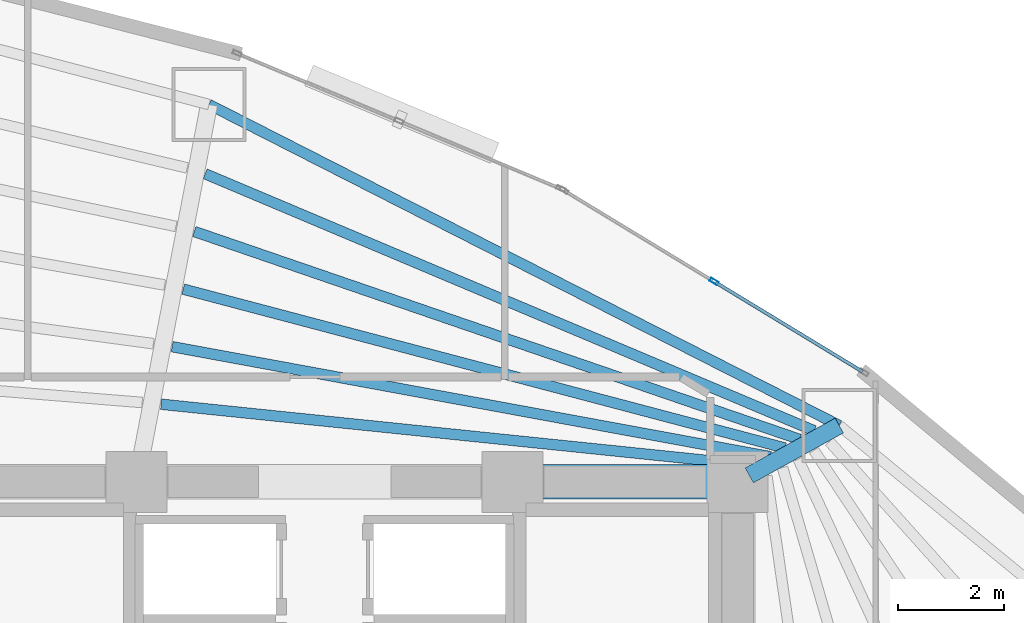
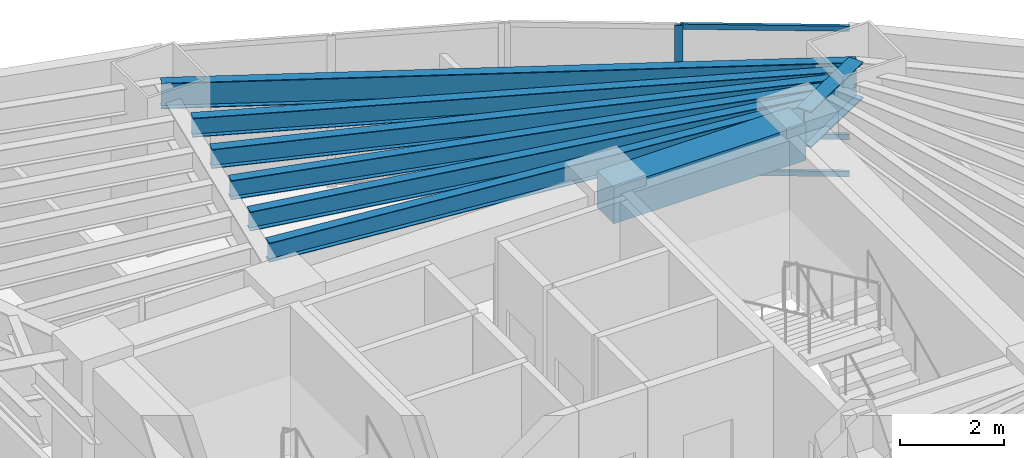
# One storey, part 10 of 17: 8 beams, 4 members, 1 element without a shape of its own.
"""IFC4 building model written with IfcOpenShell, lengths in metres."""

from ifc_helpers import new_model, si_unit, direction, frame, origin, origin_2d, place, context, subcontext, project, spatial, rectangle, hollow_rectangle, i_section, extrude, material, layer, layer_set, material_profile, profile_set, type_object, element, aggregate, save


model = new_model("IFC4")

# Units and contexts
model_context = context("Model", 3, precision=1e-05, world=origin(), true_north=direction((0.0, 1.0)))
body_context = subcontext(model_context, "Body", "Model", "MODEL_VIEW")
ifc_project = project(units=[si_unit("LENGTHUNIT", "METRE"), si_unit("AREAUNIT", "SQUARE_METRE"), si_unit("VOLUMEUNIT", "CUBIC_METRE"), si_unit("PLANEANGLEUNIT", "RADIAN"), si_unit("MASSUNIT", "GRAM", prefix="KILO")], contexts=[model_context])

# Site, building, storey
site_placement = place(None, origin())
site = spatial("IfcSite", under=ifc_project, at=site_placement, CompositionType="ELEMENT")
building_placement = place(site_placement, origin())
building = spatial("IfcBuilding", under=site, at=building_placement, Name="Menara Vayukalpa", CompositionType="ELEMENT")
storey_placement = place(building_placement, frame((0.0, 0.0, 49.919921875)))
storey = spatial("IfcBuildingStorey", under=building, at=storey_placement, Name="L11", CompositionType="ELEMENT", Elevation=49.919921875)

# Beams
ifc_material_1 = material(Name="Concrete C60/75", Category="concrete")
ifc_material_profile_1 = material_profile(ifc_material_1, rectangle(XDim=0.64990234375, YDim=0.85009765625, at=origin_2d()), Name="RC 650x850")
ifc_profile_set_1 = profile_set([ifc_material_profile_1], Name="Concrete C60/75")
beam_type_1 = type_object("IfcBeamType", Name="BM-CB1", PredefinedType="BEAM", material=ifc_profile_set_1)
beam_1_placement = place(storey_placement, frame((29.14990234375, 26.800048828125, 3.045166015625), z_axis=(1.0, 0.0, 0.0), x_axis=(0.0, 1.0, 0.0)))
element("IfcBeam", 1, at=beam_1_placement, inside=storey, type_object=beam_type_1, Name="L11 Core Tie Beam CBR6", PredefinedType="BEAM", context=body_context, shape_type="SweptSolid", body=[
    extrude(rectangle(XDim=0.64990234375, YDim=0.85009765625, at=origin_2d()), origin(), (0.0, 0.0, 1.0), 4.25),
])
ifc_material_2 = material(Name="Steel S355", Category="steel")
ifc_material_profile_2 = material_profile(ifc_material_2, i_section(OverallWidth=0.320068359375, OverallDepth=0.85009765625, WebThickness=0.01611328125, FlangeThickness=0.030029296875, at=origin_2d()), Name="WF 850x320x16x30")
ifc_profile_set_2 = profile_set([ifc_material_profile_2], Name="Steel S355")
beam_type_2 = type_object("IfcBeamType", Name="BM-PG2", PredefinedType="BEAM", material=ifc_profile_set_2)
beam_2_placement = place(storey_placement, frame((33.61865234375, 26.921142578125, 3.045166015625), z_axis=(0.87459548214, 0.484853320727, 0.0), x_axis=(-0.484853320727, 0.87459548214, 0.0)))
element("IfcBeam", 2, at=beam_2_placement, inside=storey, type_object=beam_type_2, Name="L11 Primary Radial Girder RG02", PredefinedType="BEAM", context=body_context, shape_type="SweptSolid", body=[
    extrude(i_section(OverallWidth=0.320068359375, OverallDepth=0.85009765625, WebThickness=0.01611328125, FlangeThickness=0.030029296875, at=origin_2d()), origin(), (0.0, 0.0, 1.0), 1.943115234375),
])
ifc_material_3 = material(Name="Steel S355", Category="steel")
ifc_material_profile_3 = material_profile(ifc_material_3, i_section(OverallWidth=0.199951171875, OverallDepth=0.449951171875, WebThickness=0.009033203125, FlangeThickness=0.013916015625, at=origin_2d()), Name="WF 450x200x9x14")
ifc_profile_set_3 = profile_set([ifc_material_profile_3], Name="Steel S355")
beam_type_3 = type_object("IfcBeamType", Name="BM-SJ1", PredefinedType="JOIST", material=ifc_profile_set_3)
beam_3_placement = place(storey_placement, frame((33.74560546875, 27.109130859375, 3.2451171875), z_axis=(-0.994746828953, 0.102365747631, 0.0), x_axis=(-0.102365747631, -0.994746828953, 0.0)))
element("IfcBeam", 3, at=beam_3_placement, inside=storey, type_object=beam_type_3, Name="L11 Secondary Floor Joist SJ02-1", PredefinedType="JOIST", context=body_context, shape_type="SweptSolid", body=[
    extrude(i_section(OverallWidth=0.199951171875, OverallDepth=0.449951171875, WebThickness=0.009033203125, FlangeThickness=0.013916015625, at=origin_2d()), origin(), (0.0, 0.0, 1.0), 11.29052734375),
])
beam_4_placement = place(storey_placement, frame((34.019287109375, 27.27392578125, 3.2451171875), z_axis=(-0.983504975359, 0.180881075419, 0.0), x_axis=(-0.180881075419, -0.983504975359, 0.0)))
element("IfcBeam", 4, at=beam_4_placement, inside=storey, type_object=beam_type_3, Name="L11 Secondary Floor Joist SJ02-2", PredefinedType="JOIST", context=body_context, shape_type="SweptSolid", body=[
    extrude(i_section(OverallWidth=0.199951171875, OverallDepth=0.449951171875, WebThickness=0.009033203125, FlangeThickness=0.013916015625, at=origin_2d()), origin(), (0.0, 0.0, 1.0), 11.48486328125),
])
beam_5_placement = place(storey_placement, frame((34.294189453125, 27.438232421875, 3.2451171875), z_axis=(-0.966863757537, 0.255292918746, 0.0), x_axis=(-0.255292918746, -0.966863757537, 0.0)))
element("IfcBeam", 5, at=beam_5_placement, inside=storey, type_object=beam_type_3, Name="L11 Secondary Floor Joist SJ02-3", PredefinedType="JOIST", context=body_context, shape_type="SweptSolid", body=[
    extrude(i_section(OverallWidth=0.199951171875, OverallDepth=0.449951171875, WebThickness=0.009033203125, FlangeThickness=0.013916015625, at=origin_2d()), origin(), (0.0, 0.0, 1.0), 11.751220703125),
])
beam_6_placement = place(storey_placement, frame((34.570068359375, 27.601318359375, 3.2451171875), z_axis=(-0.945794261669, 0.324766400038, 0.0), x_axis=(-0.324766400038, -0.945794261669, 0.0)))
element("IfcBeam", 6, at=beam_6_placement, inside=storey, type_object=beam_type_3, Name="L11 Secondary Floor Joist SJ02-4", PredefinedType="JOIST", context=body_context, shape_type="SweptSolid", body=[
    extrude(i_section(OverallWidth=0.199951171875, OverallDepth=0.449951171875, WebThickness=0.009033203125, FlangeThickness=0.013916015625, at=origin_2d()), origin(), (0.0, 0.0, 1.0), 12.0849609375),
])
beam_7_placement = place(storey_placement, frame((34.84619140625, 27.763671875, 3.2451171875), z_axis=(-0.921359344435, 0.38871192215, 0.0), x_axis=(-0.38871192215, -0.921359344435, 0.0)))
element("IfcBeam", 7, at=beam_7_placement, inside=storey, type_object=beam_type_3, Name="L11 Secondary Floor Joist SJ02-5", PredefinedType="JOIST", context=body_context, shape_type="SweptSolid", body=[
    extrude(i_section(OverallWidth=0.199951171875, OverallDepth=0.449951171875, WebThickness=0.009033203125, FlangeThickness=0.013916015625, at=origin_2d()), origin(), (0.0, 0.0, 1.0), 12.48046875),
])
ifc_material_4 = material(Name="Steel S355", Category="steel")
ifc_material_profile_4 = material_profile(ifc_material_4, i_section(OverallWidth=0.199951171875, OverallDepth=0.60009765625, WebThickness=0.010986328125, FlangeThickness=0.01708984375, at=origin_2d()), Name="WF 600x200x11x17")
ifc_profile_set_4 = profile_set([ifc_material_profile_4], Name="Steel S355")
beam_type_4 = type_object("IfcBeamType", Name="BM-SP1", PredefinedType="SPANDREL", material=ifc_profile_set_4)
beam_8_placement = place(storey_placement, frame((35.318115234375, 27.86328125, 3.170166015625), z_axis=(-0.891100743313, 0.453805536841, 0.0), x_axis=(-0.453805536841, -0.891100743313, 0.0)))
element("IfcBeam", 8, at=beam_8_placement, inside=storey, type_object=beam_type_4, Name="L11 Perimeter Spandrel Beam SP02", PredefinedType="SPANDREL", context=body_context, shape_type="SweptSolid", body=[
    extrude(i_section(OverallWidth=0.199951171875, OverallDepth=0.60009765625, WebThickness=0.010986328125, FlangeThickness=0.01708984375, at=origin_2d()), origin(), (0.0, 0.0, 1.0), 13.352783203125),
])

# Curtain wall, members
ifc_material_5 = material(Name="Anodised Terracotta Aluminium Alloy 6063-T6", Category="masonry")
ifc_layer = layer(ifc_material_5, 0.1650390625)
ifc_layer_set = layer_set([ifc_layer], Name="Anodised Terracotta Aluminium Alloy 6063-T6")
curtain_wall_type = type_object("IfcCurtainWallType", Name="CW-CW2", PredefinedType="USERDEFINED", material=ifc_layer_set)
curtain_wall_placement = place(storey_placement, origin())
curtain_wall = element("IfcCurtainWall", 9, at=curtain_wall_placement, inside=storey, type_object=curtain_wall_type, Name="L11 Low Rise Terracotta Ribbon Curtain Wall CW2 04", ObjectType="UNITISED", PredefinedType="USERDEFINED")
ifc_material_6 = material(Name="Anodised Terracotta Aluminium Alloy 6063-T6", Category="masonry")
ifc_material_profile_5 = material_profile(ifc_material_6, hollow_rectangle(XDim=0.070068359375, YDim=0.1650390625, WallThickness=0.00390625, at=origin_2d()), Name="ALU 70x165x4")
ifc_profile_set_5 = profile_set([ifc_material_profile_5], Name="Anodised Terracotta Aluminium Alloy 6063-T6")
member_type_1 = type_object("IfcMemberType", Name="CWM-CW2", PredefinedType="MULLION", material=ifc_profile_set_5)
member_1_placement = place(storey_placement, frame((32.9560546875, 30.581298828125, 0.0), z_axis=(0.0, 0.0, 1.0), x_axis=(-0.519181964377, -0.854663727945, 0.0)))
member_1 = element("IfcMember", 10, at=member_1_placement, type_object=member_type_1, Name="CW2 mullion 2", PredefinedType="MULLION", context=body_context, shape_type="SweptSolid", body=[
    extrude(hollow_rectangle(XDim=0.070068359375, YDim=0.1650390625, WallThickness=0.00390625, at=origin_2d()), origin(), (0.0, 0.0, 1.0), 3.469970703125),
])
ifc_material_7 = material(Name="Anodised Terracotta Aluminium Alloy 6063-T6", Category="masonry")
ifc_material_profile_6 = material_profile(ifc_material_7, hollow_rectangle(XDim=0.06494140625, YDim=0.1201171875, WallThickness=0.00341796875, at=origin_2d()), Name="ALU 65x120x3.5")
ifc_profile_set_6 = profile_set([ifc_material_profile_6], Name="Anodised Terracotta Aluminium Alloy 6063-T6")
member_type_2 = type_object("IfcMemberType", Name="CWT-CW2", PredefinedType="USERDEFINED", material=ifc_profile_set_6)
member_2_placement = place(storey_placement, frame((35.75732421875, 28.879638671875, 0.032470703125), z_axis=(-0.854643142641, 0.519215849851, 0.0), x_axis=(-0.519215849851, -0.854643142641, 0.0)))
member_2 = element("IfcMember", 11, at=member_2_placement, type_object=member_type_2, Name="CW2 transom 1.1", ObjectType="TRANSOM", PredefinedType="USERDEFINED", context=body_context, shape_type="SweptSolid", body=[
    extrude(hollow_rectangle(XDim=0.06494140625, YDim=0.1201171875, WallThickness=0.00341796875, at=origin_2d()), origin(), (0.0, 0.0, 1.0), 3.24267578125),
])
member_3_placement = place(storey_placement, frame((35.75732421875, 28.879638671875, 0.900146484375), z_axis=(-0.854643142641, 0.519215849851, 0.0), x_axis=(-0.519215849851, -0.854643142641, 0.0)))
member_3 = element("IfcMember", 12, at=member_3_placement, type_object=member_type_2, Name="CW2 transom 1.2", ObjectType="TRANSOM", PredefinedType="USERDEFINED", context=body_context, shape_type="SweptSolid", body=[
    extrude(hollow_rectangle(XDim=0.06494140625, YDim=0.1201171875, WallThickness=0.00341796875, at=origin_2d()), origin(), (0.0, 0.0, 1.0), 3.24267578125),
])
member_4_placement = place(storey_placement, frame((35.75732421875, 28.879638671875, 3.4375), z_axis=(-0.854643142641, 0.519215849851, 0.0), x_axis=(-0.519215849851, -0.854643142641, 0.0)))
member_4 = element("IfcMember", 13, at=member_4_placement, type_object=member_type_2, Name="CW2 transom 1.3", ObjectType="TRANSOM", PredefinedType="USERDEFINED", context=body_context, shape_type="SweptSolid", body=[
    extrude(hollow_rectangle(XDim=0.06494140625, YDim=0.1201171875, WallThickness=0.00341796875, at=origin_2d()), origin(), (0.0, 0.0, 1.0), 3.24267578125),
])
aggregate(curtain_wall, [member_1, member_2, member_3, member_4])

save(model, "model.ifc")
